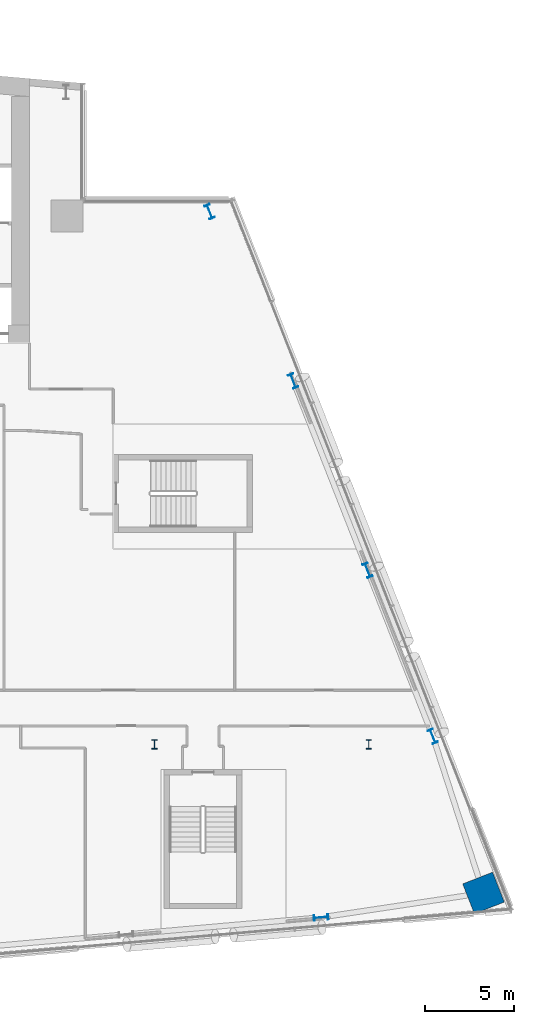
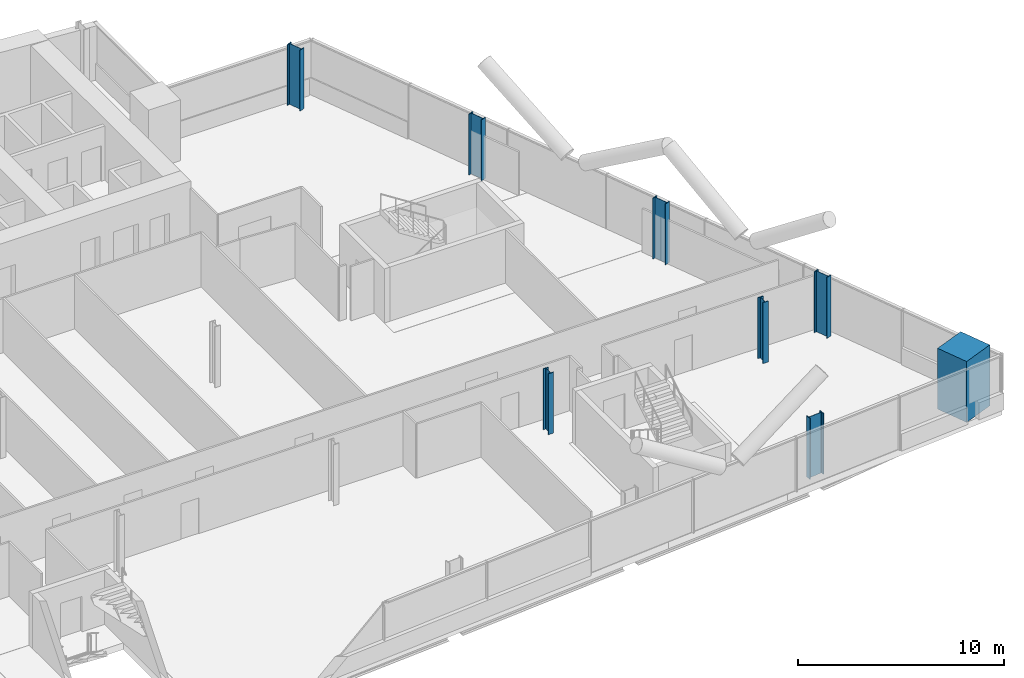
# One storey, part 4 of 27: 8 columns.
"""IFC4 building model written with IfcOpenShell, lengths in metres."""

from ifc_helpers import new_model, si_unit, direction, frame, origin, origin_2d, place, context, subcontext, project, spatial, rectangle, i_section, extrude, material, material_profile, profile_set, type_object, element, save


model = new_model("IFC4")

# Units and contexts
model_context = context("Model", 3, precision=1e-05, world=origin(), true_north=direction((0.0, 1.0)))
body_context = subcontext(model_context, "Body", "Model", "MODEL_VIEW")
ifc_project = project(units=[si_unit("LENGTHUNIT", "METRE"), si_unit("AREAUNIT", "SQUARE_METRE"), si_unit("VOLUMEUNIT", "CUBIC_METRE"), si_unit("PLANEANGLEUNIT", "RADIAN"), si_unit("MASSUNIT", "GRAM", prefix="KILO")], contexts=[model_context])

# Site, building, storey
site_placement = place(None, origin())
site = spatial("IfcSite", under=ifc_project, at=site_placement, CompositionType="ELEMENT")
building_placement = place(site_placement, origin())
building = spatial("IfcBuilding", under=site, at=building_placement, Name="Wharfspan Tower", CompositionType="ELEMENT")
storey_placement = place(building_placement, frame((0.0, 0.0, 139.899902)))
storey = spatial("IfcBuildingStorey", under=building, at=storey_placement, Name="L33", CompositionType="ELEMENT", Elevation=139.899902)

# Columns
ifc_material_1 = material(Name="Steel S355J2", Category="steel")
ifc_material_profile_1 = material_profile(ifc_material_1, i_section(OverallWidth=0.305908, OverallDepth=0.523926, WebThickness=0.020996, FlangeThickness=0.040039, FilletRadius=0.0271, at=origin_2d()))
ifc_profile_set_1 = profile_set([ifc_material_profile_1], Name="Steel S355J2")
column_type_1 = type_object("IfcColumnType", Name="Column HEM 500", PredefinedType="COLUMN", material=ifc_profile_set_1)
for number, where, z_axis, x_axis, name in (
    (1, (72.0, 11.5, 0.0), (0.0, 0.0, 1.0), (1.0, 0.0, 0.0), "Interior column I.1.6 L33"),
    (2, (84.0, 11.5, 0.0), (0.0, 0.0, 1.0), (1.0, 0.0, 0.0), "Interior column I.1.7 L33"),
):
    element("IfcColumn", number, at=place(storey_placement, frame(where, z_axis=z_axis, x_axis=x_axis)), inside=storey, type_object=column_type_1, Name=name, PredefinedType="COLUMN", context=body_context, shape_type="SweptSolid", body=[
        extrude(i_section(OverallWidth=0.305908, OverallDepth=0.523926, WebThickness=0.020996, FlangeThickness=0.040039, FilletRadius=0.0271, at=origin_2d()), origin(), (0.0, 0.0, 1.0), 3.600098),
    ])
ifc_material_profile_2 = material_profile(ifc_material_1, i_section(OverallWidth=0.302979, OverallDepth=0.813965, WebThickness=0.020996, FlangeThickness=0.040039, FilletRadius=0.030029, at=origin_2d()))
ifc_profile_set_2 = profile_set([ifc_material_profile_2], Name="Steel S355J2")
column_type_2 = type_object("IfcColumnType", Name="Column HEM 800", PredefinedType="COLUMN", material=ifc_profile_set_2)
for number, where, z_axis, x_axis, name in (
    (3, (81.327881, 1.80835, 0.0), (0.0, 0.0, 1.0), (0.087156, -0.996198, 0.0), "Perimeter column PS2.3 L33"),
    (4, (87.586914, 11.952393, 0.0), (0.0, 0.0, 1.0), (0.930702, 0.365778, 0.0), "Perimeter column PE.1 L33"),
    (5, (83.932617, 21.250977, 0.0), (0.0, 0.0, 1.0), (0.930702, 0.365778, 0.0), "Perimeter column PE.2 L33"),
    (6, (79.765869, 31.852539, 0.0), (0.0, 0.0, 1.0), (0.930702, 0.365778, 0.0), "Perimeter column PE.3 L33"),
    (7, (75.084961, 41.337646, 0.0), (0.0, 0.0, 1.0), (0.930702, 0.365778, 0.0), "Perimeter column PE.4 L33"),
):
    element("IfcColumn", number, at=place(storey_placement, frame(where, z_axis=z_axis, x_axis=x_axis)), inside=storey, type_object=column_type_2, Name=name, PredefinedType="COLUMN", context=body_context, shape_type="SweptSolid", body=[
        extrude(i_section(OverallWidth=0.302979, OverallDepth=0.813965, WebThickness=0.020996, FlangeThickness=0.040039, FilletRadius=0.030029, at=origin_2d()), origin(), (0.0, 0.0, 1.0), 3.600098),
    ])
ifc_material_2 = material(Name="Concrete C70/85", Category="concrete")
ifc_material_profile_3 = material_profile(ifc_material_2, rectangle(XDim=1.800049, YDim=1.800049, at=origin_2d()))
ifc_profile_set_3 = profile_set([ifc_material_profile_3], Name="Concrete C70/85")
column_type_3 = type_object("IfcColumnType", Name="Mega column 1800 C70/85", PredefinedType="COLUMN", material=ifc_profile_set_3)
column_placement = place(storey_placement, frame((90.427246, 3.174072, 0.0), z_axis=(0.0, 0.0, 1.0), x_axis=(-0.365778, 0.930702, 0.0)))
element("IfcColumn", 8, at=column_placement, inside=storey, type_object=column_type_3, Name="Mega column MC4 L33", PredefinedType="COLUMN", context=body_context, shape_type="SweptSolid", body=[
    extrude(rectangle(XDim=1.800049, YDim=1.800049, at=origin_2d()), origin(), (0.0, 0.0, 1.0), 3.600098),
])

save(model, "model.ifc")
